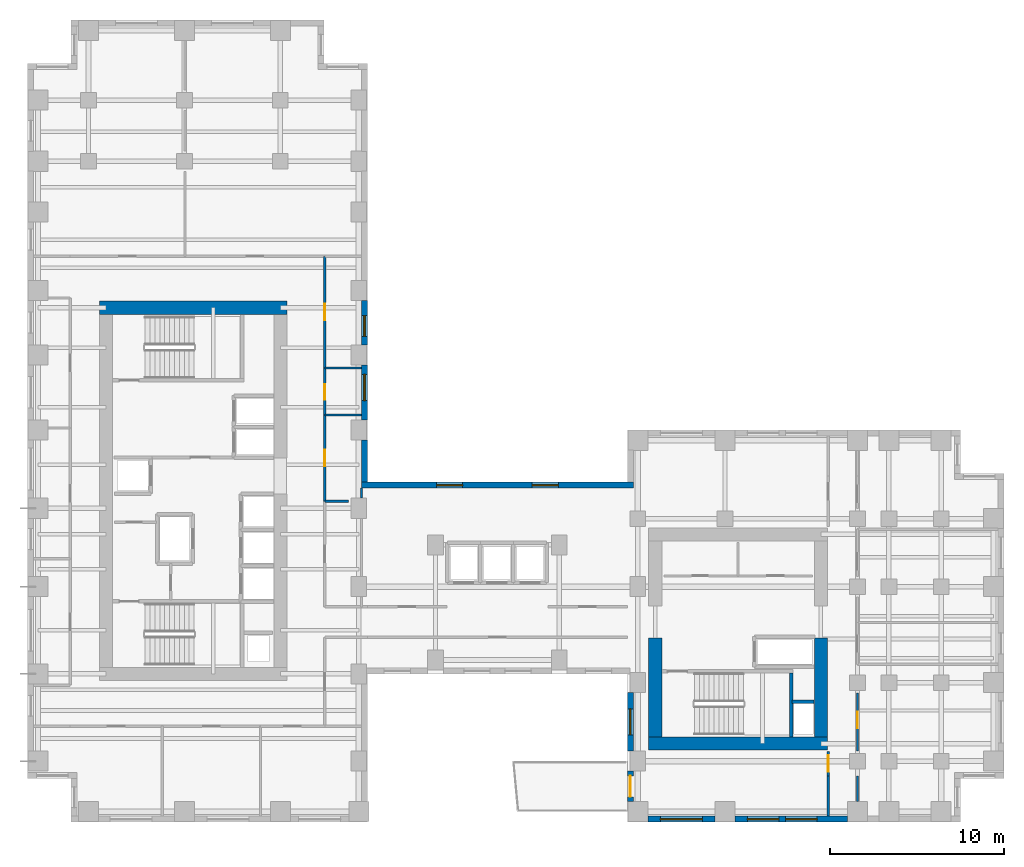
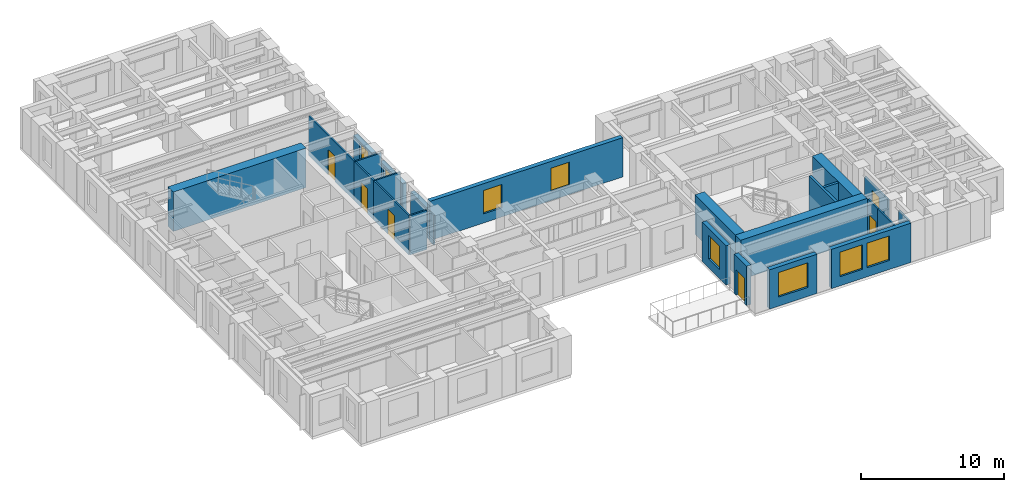
# One storey, part 6 of 12: 25 walls, 8 windows, 6 doors, 14 openings.
"""IFC4 building model written with IfcOpenShell, lengths in metres."""

import ifcopenshell
import ifcopenshell.guid

model = None  # the IFC model being written
_history = None  # IfcOwnerHistory: only IFC2X3 demands one
_inside = {}  # id of a spatial element -> (the spatial element, [elements in it])
_under = {}  # id of a project, library or spatial element -> (it, [spatial elements below it])
_declared = {}  # id of a project -> (the project, [libraries it declares])
_typed = {}  # id of a type object -> (the type object, [elements of that type])
_made_of = {}  # id of a material, layer set ... -> (it, [elements and type objects made of it])


def new_model(schema):
    """Start an empty IFC model of exactly this schema.

    Asked for "IFC4X3", IfcOpenShell would pick the latest addendum, in which some entities
    have other attributes; the version numbers below select the first issue.
    IFC2X3 requires an IfcOwnerHistory on every rooted entity: one is made here for all.
    """
    global model, _history
    if schema == "IFC4X3":
        model = ifcopenshell.file(schema_version=(4, 3, 0, 0))
    else:
        model = ifcopenshell.file(schema=schema)
    _inside.clear()
    _under.clear()
    _declared.clear()
    _typed.clear()
    _made_of.clear()
    _history = None
    if model.schema == "IFC2X3":
        org = make("IfcOrganization", Name="unknown")
        user = make(
            "IfcPersonAndOrganization",
            ThePerson=make("IfcPerson", FamilyName="unknown"),
            TheOrganization=org,
        )
        app = make(
            "IfcApplication",
            ApplicationDeveloper=org,
            Version="unknown",
            ApplicationFullName="unknown",
            ApplicationIdentifier="unknown",
        )
        _history = make(
            "IfcOwnerHistory",
            OwningUser=user,
            OwningApplication=app,
            ChangeAction="ADDED",
            CreationDate=0,
        )
    return model


def make(cls, **values):
    """One entity of the class cls with the attributes given. An attribute that is None is left unset."""
    return model.create_entity(
        cls, **{name: value for name, value in values.items() if value is not None}
    )


def rooted(cls, **values):
    """An entity with a GlobalId (a new one), such as an element, a storey or a relation."""
    return make(cls, GlobalId=ifcopenshell.guid.new(), OwnerHistory=_history, **values)


def si_unit(unit_type, name, prefix=None):
    """IfcSIUnit, for example si_unit("LENGTHUNIT", "METRE", prefix="MILLI")."""
    return make("IfcSIUnit", UnitType=unit_type, Prefix=prefix, Name=name)


def assignment(units):
    """IfcUnitAssignment: the units of a project."""
    return None if units is None else make("IfcUnitAssignment", Units=units)


def point(xyz):
    """IfcCartesianPoint."""
    return None if xyz is None else make("IfcCartesianPoint", Coordinates=xyz)


def direction(xyz):
    """IfcDirection."""
    return None if xyz is None else make("IfcDirection", DirectionRatios=xyz)


def frame(location, z_axis=None, x_axis=None):
    """IfcAxis2Placement3D, a coordinate frame: its origin and axes. An axis left out is left unset."""
    return make(
        "IfcAxis2Placement3D",
        Location=point(location),
        Axis=direction(z_axis),
        RefDirection=direction(x_axis),
    )


def frame_2d(location, x_axis=None):
    """IfcAxis2Placement2D, a coordinate frame in the plane: its origin and x axis."""
    return make(
        "IfcAxis2Placement2D", Location=point(location), RefDirection=direction(x_axis)
    )


def origin():
    """The frame at (0, 0, 0) with its axes left unset."""
    return frame((0.0, 0.0, 0.0))


def place(relative_to, where):
    """IfcLocalPlacement: puts the frame where relative to a parent placement (None: the world)."""
    return make(
        "IfcLocalPlacement", PlacementRelTo=relative_to, RelativePlacement=where
    )


def context(
    kind, dimensions, precision=None, world=None, true_north=None, identifier=None
):
    """IfcGeometricRepresentationContext, for example the 3D "Model" context."""
    return make(
        "IfcGeometricRepresentationContext",
        ContextIdentifier=identifier,
        ContextType=kind,
        CoordinateSpaceDimension=dimensions,
        Precision=precision,
        WorldCoordinateSystem=world,
        TrueNorth=true_north,
    )


def subcontext(parent, identifier, kind, view, scale=None):
    """IfcGeometricRepresentationSubContext, for example "Body" below "Model"."""
    return make(
        "IfcGeometricRepresentationSubContext",
        ContextIdentifier=identifier,
        ContextType=kind,
        ParentContext=parent,
        TargetScale=scale,
        TargetView=view,
    )


def project(units=None, contexts=None):
    """IfcProject with its units and contexts."""
    return rooted(
        "IfcProject",
        Name="project",
        RepresentationContexts=contexts,
        UnitsInContext=assignment(units),
    )


def spatial(cls, under=None, at=None, **own):
    """A site, building, storey or space (cls), placed at a placement, below another one or the project."""
    s = rooted(cls, ObjectPlacement=at, **own)
    if under is not None:
        _under.setdefault(under.id(), (under, []))[1].append(s)
    return s


def profile(cls, at=None, kind="AREA", **sizes):
    """A parametric profile (cls). Its sizes go by their IFC names, for example OverallWidth=200.0."""
    return make(cls, ProfileType=kind, Position=at, **sizes)


def rectangle(**sizes):
    """IfcRectangleProfileDef."""
    return profile("IfcRectangleProfileDef", **sizes)


def extrude(swept, where, along, depth):
    """IfcExtrudedAreaSolid: the profile swept, set in the frame where, extruded along a direction by depth."""
    return make(
        "IfcExtrudedAreaSolid",
        SweptArea=swept,
        Position=where,
        ExtrudedDirection=direction(along),
        Depth=depth,
    )


def shape(context_of_items, identifier, shape_type, items):
    """IfcShapeRepresentation: the items that make up one representation, for example the "Body"."""
    return make(
        "IfcShapeRepresentation",
        ContextOfItems=context_of_items,
        RepresentationIdentifier=identifier,
        RepresentationType=shape_type,
        Items=items,
    )


def source(mapping_origin, context_of_items, identifier, shape_type, items):
    """IfcRepresentationMap: a shape defined once, which mapped items show again and again."""
    return make(
        "IfcRepresentationMap",
        MappingOrigin=mapping_origin,
        MappedRepresentation=shape(context_of_items, identifier, shape_type, items),
    )


def transform(
    local_origin,
    x_axis=None,
    y_axis=None,
    z_axis=None,
    scale=None,
    scale2=None,
    scale3=None,
    uniform=True,
):
    """IfcCartesianTransformationOperator3D, or its non-uniform kind. x_axis, y_axis, z_axis: its Axis1, 2, 3."""
    if uniform:
        return make(
            "IfcCartesianTransformationOperator3D",
            Axis1=direction(x_axis),
            Axis2=direction(y_axis),
            LocalOrigin=point(local_origin),
            Scale=scale,
            Axis3=direction(z_axis),
        )
    return make(
        "IfcCartesianTransformationOperator3DnonUniform",
        Axis1=direction(x_axis),
        Axis2=direction(y_axis),
        LocalOrigin=point(local_origin),
        Scale=scale,
        Axis3=direction(z_axis),
        Scale2=scale2,
        Scale3=scale3,
    )


def mapped(mapping_source, mapping_target):
    """IfcMappedItem: shows the shape of a source again, moved by a transform."""
    return make(
        "IfcMappedItem", MappingSource=mapping_source, MappingTarget=mapping_target
    )


def material(Name=None, Category=None):
    """IfcMaterial."""
    return make("IfcMaterial", Name=Name, Category=Category)


def layer(
    of_material, thickness, ventilated=None, Name=None, Category=None, Priority=None
):
    """IfcMaterialLayer: one layer of a wall or slab, of a material (None: an air gap)."""
    return make(
        "IfcMaterialLayer",
        Material=of_material,
        LayerThickness=thickness,
        IsVentilated=ventilated,
        Name=Name,
        Category=Category,
        Priority=Priority,
    )


def layer_set(layers, Name=None):
    """IfcMaterialLayerSet."""
    return make("IfcMaterialLayerSet", MaterialLayers=layers, LayerSetName=Name)


def made_of(thing, what):
    """Note that an element or type object is made of a material, layer set ...; save() writes the relation."""
    if what is not None:
        _made_of.setdefault(what.id(), (what, []))[1].append(thing)
    return thing


def type_object(cls, material=None, **own):
    """A type object (cls), such as IfcWallType, which elements share."""
    return made_of(rooted(cls, **own), material)


def element(
    cls,
    number,
    at=None,
    inside=None,
    cuts=None,
    type_object=None,
    material=None,
    context=None,
    identifier="Body",
    shape_type=None,
    held_by="IfcProductDefinitionShape",
    body=None,
    shapes=None,
    **own,
):
    """One element of the class cls, such as IfcWall. Its Tag is "e" and its number.

    at: its placement. inside: the storey or other place that contains it. cuts: it is an
    opening in that element (IfcRelVoidsElement). A single representation is given by context,
    identifier, shape_type and body (its items); several are given by shapes. held_by: the class
    of the entity that holds the representations. save() writes the other relations.
    """
    e = rooted(cls, Tag="e%d" % number, ObjectPlacement=at, **own)
    if body is not None:
        shapes = [shape(context, identifier, shape_type, body)]
    if shapes is not None:
        e.Representation = make(held_by, Representations=shapes)
    if inside is not None:
        _inside.setdefault(inside.id(), (inside, []))[1].append(e)
    if cuts is not None:
        rooted(
            "IfcRelVoidsElement", RelatingBuildingElement=cuts, RelatedOpeningElement=e
        )
    if type_object is not None:
        _typed.setdefault(type_object.id(), (type_object, []))[1].append(e)
    return made_of(e, material)


def fill(opening, filler):
    """IfcRelFillsElement: the door or window that sits in an opening."""
    return rooted(
        "IfcRelFillsElement",
        RelatingOpeningElement=opening,
        RelatedBuildingElement=filler,
    )


def aggregate(whole, parts):
    """IfcRelAggregates: a whole, such as a stair, and the parts it consists of."""
    return rooted("IfcRelAggregates", RelatingObject=whole, RelatedObjects=parts)


def save(model, path):
    """Write the relations noted so far, then the file.

    IfcRelAggregates (storeys below a building ...), IfcRelContainedInSpatialStructure (elements
    in a storey), IfcRelDefinesByType, IfcRelAssociatesMaterial and IfcRelDeclares: one each for
    every whole, place, type object, material and project.
    """
    for whole, parts in _under.values():
        aggregate(whole, parts)
    for where, things in _inside.values():
        rooted(
            "IfcRelContainedInSpatialStructure",
            RelatedElements=things,
            RelatingStructure=where,
        )
    for kind, things in _typed.values():
        rooted("IfcRelDefinesByType", RelatedObjects=things, RelatingType=kind)
    for what, things in _made_of.values():
        rooted("IfcRelAssociatesMaterial", RelatedObjects=things, RelatingMaterial=what)
    for by, libraries in _declared.values():
        rooted("IfcRelDeclares", RelatingContext=by, RelatedDefinitions=libraries)
    model.write(path)


model = new_model("IFC4")

# Units and contexts
model_context = context("Model", 3, precision=1e-05, world=origin(), true_north=direction((0.0, 1.0)))
body_context = subcontext(model_context, "Body", "Model", "MODEL_VIEW")
ifc_project = project(units=[si_unit("LENGTHUNIT", "METRE"), si_unit("AREAUNIT", "SQUARE_METRE"), si_unit("VOLUMEUNIT", "CUBIC_METRE"), si_unit("PLANEANGLEUNIT", "RADIAN"), si_unit("MASSUNIT", "GRAM", prefix="KILO")], contexts=[model_context])

# Site, building, storey
site_placement = place(None, origin())
site = spatial("IfcSite", under=ifc_project, at=site_placement, CompositionType="ELEMENT")
building_placement = place(site_placement, origin())
building = spatial("IfcBuilding", under=site, at=building_placement, Name="Kharzan Plaza Tower", CompositionType="ELEMENT")
storey_placement = place(building_placement, frame((0.0, 0.0, 106.199951171875)))
storey = spatial("IfcBuildingStorey", under=building, at=storey_placement, Name="L28", CompositionType="ELEMENT", Elevation=106.199951171875)

# Wall, opening, window
ifc_material_1 = material(Name="Concrete C40/50", Category="concrete")
ifc_layer_1 = layer(ifc_material_1, 0.35009765625)
ifc_layer_set_1 = layer_set([ifc_layer_1], Name="Concrete C40/50")
wall_type_1 = type_object("IfcWallType", Name="WL-EXT-MAS-Z2", PredefinedType="SOLIDWALL", material=ifc_layer_set_1)
wall_1_placement = place(storey_placement, frame((19.324951171875, 23.072998046875, 0.0), z_axis=(0.0, 0.0, 1.0), x_axis=(0.0, 1.0, 0.0)))
wall_1 = element("IfcWall", 1, at=wall_1_placement, inside=storey, type_object=wall_type_1, Name="L28 Masonry-Frame Exterior Wall 02", PredefinedType="SOLIDWALL", context=body_context, shape_type="SweptSolid", body=[
    extrude(rectangle(XDim=3.154052734375, YDim=0.35009765625, at=frame_2d((1.5771484375, 0.0))), origin(), (0.0, 0.0, 1.0), 2.51904296875),
])
opening_1_placement = place(wall_1_placement, frame((1.10546875, 0.0, 0.780029296875)))
opening_1 = element("IfcOpeningElement", 2, at=opening_1_placement, cuts=wall_1, Name="Opening W5", PredefinedType="OPENING", context=body_context, shape_type="SweptSolid", body=[
    extrude(rectangle(XDim=1.5, YDim=1.55908203125, at=frame_2d((0.75, 0.779541015625))), frame((0.0, 0.18505859375, 0.0), z_axis=(0.0, -1.0, 0.0), x_axis=(1.0, 0.0, 0.0)), (0.0, 0.0, 1.0), 0.3701171875),
])
ifc_material_2 = material(Name="Low-E Double Glazing", Category="glass")
window_type_1 = type_object("IfcWindowType", Name="WN-SLT-1500x2000", PartitioningType="SINGLE_PANEL", PredefinedType="WINDOW", material=ifc_material_2)
shared_shape_1 = source(origin(), body_context, "Body", "SweptSolid", [
    extrude(rectangle(XDim=1.5, YDim=1.55908203125, at=frame_2d((0.75, 0.779541015625))), frame((0.0, 0.030029296875, 0.0), z_axis=(0.0, -1.0, 0.0), x_axis=(1.0, 0.0, 0.0)), (0.0, 0.0, 1.0), 0.06005859375),
])
window_1_placement = place(opening_1_placement, origin())
window_1 = element("IfcWindow", 3, at=window_1_placement, inside=storey, type_object=window_type_1, Name="L28 Recessed Solar-Control Window 02-1", OverallHeight=1.55908203125, OverallWidth=1.5, PartitioningType="SINGLE_PANEL", PredefinedType="WINDOW", context=body_context, shape_type="MappedRepresentation", body=[
    mapped(shared_shape_1, transform((0.0, 0.0, 0.0), x_axis=(1.0, 0.0, 0.0), y_axis=(0.0, 1.0, 0.0), z_axis=(0.0, 0.0, 1.0))),
])
fill(opening_1, window_1)

wall_2_placement = place(storey_placement, frame((19.324951171875, 27.373046875, 0.0), z_axis=(0.0, 0.0, 1.0), x_axis=(0.0, 1.0, 0.0)))
wall_2 = element("IfcWall", 4, at=wall_2_placement, inside=storey, type_object=wall_type_1, Name="L28 Masonry-Frame Exterior Wall 03", PredefinedType="SOLIDWALL", context=body_context, shape_type="SweptSolid", body=[
    extrude(rectangle(XDim=2.553955078125, YDim=0.35009765625, at=frame_2d((1.27685546875, 0.0))), origin(), (0.0, 0.0, 1.0), 2.51904296875),
])
opening_2_placement = place(wall_2_placement, frame((0.47998046875, 0.0, 0.780029296875)))
opening_2 = element("IfcOpeningElement", 5, at=opening_2_placement, cuts=wall_2, Name="Opening W3", PredefinedType="OPENING", context=body_context, shape_type="SweptSolid", body=[
    extrude(rectangle(XDim=1.199951171875, YDim=1.55908203125, at=frame_2d((0.60009765625, 0.779541015625))), frame((0.0, 0.18505859375, 0.0), z_axis=(0.0, -1.0, 0.0), x_axis=(1.0, 0.0, 0.0)), (0.0, 0.0, 1.0), 0.3701171875),
])
window_type_2 = type_object("IfcWindowType", Name="WN-REC-1200x2100", PartitioningType="SINGLE_PANEL", PredefinedType="WINDOW", material=ifc_material_2)
shared_shape_2 = source(origin(), body_context, "Body", "SweptSolid", [
    extrude(rectangle(XDim=1.199951171875, YDim=1.55908203125, at=frame_2d((0.60009765625, 0.779541015625))), frame((0.0, 0.030029296875, 0.0), z_axis=(0.0, -1.0, 0.0), x_axis=(1.0, 0.0, 0.0)), (0.0, 0.0, 1.0), 0.06005859375),
])
window_2_placement = place(opening_2_placement, origin())
window_2 = element("IfcWindow", 6, at=window_2_placement, inside=storey, type_object=window_type_2, Name="L28 Recessed Solar-Control Window 03-1", OverallHeight=1.55908203125, OverallWidth=1.199951171875, PartitioningType="SINGLE_PANEL", PredefinedType="WINDOW", context=body_context, shape_type="MappedRepresentation", body=[
    mapped(shared_shape_2, transform((0.0, 0.0, 0.0), x_axis=(1.0, 0.0, 0.0), y_axis=(0.0, 1.0, 0.0), z_axis=(0.0, 0.0, 1.0))),
])
fill(opening_2, window_2)

wall_3_placement = place(storey_placement, frame((34.574951171875, 7.427001953125, 0.0), z_axis=(0.0, 0.0, 1.0), x_axis=(0.0, -1.0, 0.0)))
wall_3 = element("IfcWall", 7, at=wall_3_placement, inside=storey, type_object=wall_type_1, Name="L28 Masonry-Frame Exterior Wall 37", PredefinedType="SOLIDWALL", context=body_context, shape_type="SweptSolid", body=[
    extrude(rectangle(XDim=3.35400390625, YDim=0.35009765625, at=frame_2d((1.677001953125, 0.0))), origin(), (0.0, 0.0, 1.0), 3.364990234375),
])
opening_3_placement = place(wall_3_placement, frame((0.927001953125, 0.0, 0.780029296875)))
opening_3 = element("IfcOpeningElement", 8, at=opening_3_placement, cuts=wall_3, Name="Opening W5", PredefinedType="OPENING", context=body_context, shape_type="SweptSolid", body=[
    extrude(rectangle(XDim=1.5, YDim=2.0, at=frame_2d((0.75, 1.0))), frame((0.0, 0.18505859375, 0.0), z_axis=(0.0, -1.0, 0.0), x_axis=(1.0, 0.0, 0.0)), (0.0, 0.0, 1.0), 0.3701171875),
])
shared_shape_3 = source(origin(), body_context, "Body", "SweptSolid", [
    extrude(rectangle(XDim=1.5, YDim=2.0, at=frame_2d((0.75, 1.0))), frame((0.0, 0.030029296875, 0.0), z_axis=(0.0, -1.0, 0.0), x_axis=(1.0, 0.0, 0.0)), (0.0, 0.0, 1.0), 0.06005859375),
])
window_3_placement = place(opening_3_placement, origin())
window_3 = element("IfcWindow", 9, at=window_3_placement, inside=storey, type_object=window_type_1, Name="L28 Recessed Solar-Control Window 37-1", OverallHeight=2.0, OverallWidth=1.5, PartitioningType="SINGLE_PANEL", PredefinedType="WINDOW", context=body_context, shape_type="MappedRepresentation", body=[
    mapped(shared_shape_3, transform((0.0, 0.0, 0.0), x_axis=(1.0, 0.0, 0.0), y_axis=(0.0, 1.0, 0.0), z_axis=(0.0, 0.0, 1.0))),
])
fill(opening_3, window_3)

# Wall, opening, door
wall_4_placement = place(storey_placement, frame((34.574951171875, 2.927001953125, 0.0), z_axis=(0.0, 0.0, 1.0), x_axis=(0.0, -1.0, 0.0)))
wall_4 = element("IfcWall", 10, at=wall_4_placement, inside=storey, type_object=wall_type_1, Name="L28 Masonry-Frame Exterior Wall 38", PredefinedType="SOLIDWALL", context=body_context, shape_type="SweptSolid", body=[
    extrude(rectangle(XDim=1.75390625, YDim=0.35009765625, at=frame_2d((0.876953125, 0.0))), origin(), (0.0, 0.0, 1.0), 3.364990234375),
])
opening_4_placement = place(wall_4_placement, frame((0.277099609375, 0.0, 0.0)))
opening_4 = element("IfcOpeningElement", 11, at=opening_4_placement, cuts=wall_4, Name="Opening ED3", PredefinedType="OPENING", context=body_context, shape_type="SweptSolid", body=[
    extrude(rectangle(XDim=1.199951171875, YDim=2.14990234375, at=frame_2d((0.60009765625, 1.074951171875))), frame((0.0, 0.18505859375, 0.0), z_axis=(0.0, -1.0, 0.0), x_axis=(1.0, 0.0, 0.0)), (0.0, 0.0, 1.0), 0.3701171875),
])
ifc_material_3 = material(Name="Thermally Broken Anodized Bronze Aluminium", Category="aluminium")
door_type_1 = type_object("IfcDoorType", Name="DR-EXT-TRAY-1200", OperationType="SINGLE_SWING_LEFT", PredefinedType="DOOR", material=ifc_material_3)
shared_shape_4 = source(origin(), body_context, "Body", "SweptSolid", [
    extrude(rectangle(XDim=1.199951171875, YDim=2.14990234375, at=frame_2d((0.60009765625, 1.074951171875))), frame((0.0, 0.02490234375, 0.0), z_axis=(0.0, -1.0, 0.0), x_axis=(1.0, 0.0, 0.0)), (0.0, 0.0, 1.0), 0.050048828125),
])
door_1_placement = place(opening_4_placement, frame((1.199951171875, 0.0, 0.0), z_axis=(0.0, 0.0, 1.0), x_axis=(-1.0, 0.0, 0.0)))
door_1 = element("IfcDoor", 12, at=door_1_placement, inside=storey, type_object=door_type_1, Name="L28 Cantilevered Sky-Terrace Tray Access Door", OperationType="SINGLE_SWING_LEFT", OverallHeight=2.14990234375, OverallWidth=1.199951171875, PredefinedType="DOOR", context=body_context, shape_type="MappedRepresentation", body=[
    mapped(shared_shape_4, transform((0.0, 0.0, 0.0), x_axis=(1.0, 0.0, 0.0), y_axis=(0.0, 1.0, 0.0), z_axis=(0.0, 0.0, 1.0))),
])
fill(opening_4, door_1)

# Wall, opening, window
wall_5_placement = place(storey_placement, frame((35.572998046875, 0.175048828125, 0.0), z_axis=(0.0, 0.0, 1.0), x_axis=(1.0, 0.0, 0.0)))
wall_5 = element("IfcWall", 13, at=wall_5_placement, inside=storey, type_object=wall_type_1, Name="L28 Masonry-Frame Exterior Wall 39", PredefinedType="SOLIDWALL", context=body_context, shape_type="SweptSolid", body=[
    extrude(rectangle(XDim=3.85400390625, YDim=0.35009765625, at=frame_2d((1.927001953125, 0.0))), origin(), (0.0, 0.0, 1.0), 3.364990234375),
])
opening_5_placement = place(wall_5_placement, frame((0.72705078125, 0.0, 0.780029296875)))
opening_5 = element("IfcOpeningElement", 14, at=opening_5_placement, cuts=wall_5, Name="Opening W2", PredefinedType="OPENING", context=body_context, shape_type="SweptSolid", body=[
    extrude(rectangle(XDim=2.39990234375, YDim=2.10009765625, at=frame_2d((1.199951171875, 1.050048828125))), frame((0.0, 0.18505859375, 0.0), z_axis=(0.0, -1.0, 0.0), x_axis=(1.0, 0.0, 0.0)), (0.0, 0.0, 1.0), 0.3701171875),
])
window_type_3 = type_object("IfcWindowType", Name="WN-REC-2400x2100", PartitioningType="SINGLE_PANEL", PredefinedType="WINDOW", material=ifc_material_2)
shared_shape_5 = source(origin(), body_context, "Body", "SweptSolid", [
    extrude(rectangle(XDim=2.39990234375, YDim=2.10009765625, at=frame_2d((1.199951171875, 1.050048828125))), frame((0.0, 0.030029296875, 0.0), z_axis=(0.0, -1.0, 0.0), x_axis=(1.0, 0.0, 0.0)), (0.0, 0.0, 1.0), 0.06005859375),
])
window_4_placement = place(opening_5_placement, origin())
window_4 = element("IfcWindow", 15, at=window_4_placement, inside=storey, type_object=window_type_3, Name="L28 Wide Recessed Solar-Control Window 39-1", OverallHeight=2.10009765625, OverallWidth=2.39990234375, PartitioningType="SINGLE_PANEL", PredefinedType="WINDOW", context=body_context, shape_type="MappedRepresentation", body=[
    mapped(shared_shape_5, transform((0.0, 0.0, 0.0), x_axis=(1.0, 0.0, 0.0), y_axis=(0.0, 1.0, 0.0), z_axis=(0.0, 0.0, 1.0))),
])
fill(opening_5, window_4)

# Wall, openings, windows
wall_6_placement = place(storey_placement, frame((40.572998046875, 0.175048828125, 0.0), z_axis=(0.0, 0.0, 1.0), x_axis=(1.0, 0.0, 0.0)))
wall_6 = element("IfcWall", 16, at=wall_6_placement, inside=storey, type_object=wall_type_1, Name="L28 Masonry-Frame Exterior Wall 40", PredefinedType="SOLIDWALL", context=body_context, shape_type="SweptSolid", body=[
    extrude(rectangle(XDim=6.4541015625, YDim=0.35009765625, at=frame_2d((3.22705078125, 0.0))), origin(), (0.0, 0.0, 1.0), 3.364990234375),
])
opening_6_placement = place(wall_6_placement, frame((0.71240234375, 0.0, 0.780029296875)))
opening_6 = element("IfcOpeningElement", 17, at=opening_6_placement, cuts=wall_6, Name="Opening W1", PredefinedType="OPENING", context=body_context, shape_type="SweptSolid", body=[
    extrude(rectangle(XDim=1.800048828125, YDim=2.10009765625, at=frame_2d((0.89990234375, 1.050048828125))), frame((0.0, 0.18505859375, 0.0), z_axis=(0.0, -1.0, 0.0), x_axis=(1.0, 0.0, 0.0)), (0.0, 0.0, 1.0), 0.3701171875),
])
opening_7_placement = place(wall_6_placement, frame((2.90478515625, 0.0, 0.780029296875)))
opening_7 = element("IfcOpeningElement", 18, at=opening_7_placement, cuts=wall_6, Name="Opening W1", PredefinedType="OPENING", context=body_context, shape_type="SweptSolid", body=[
    extrude(rectangle(XDim=1.800048828125, YDim=2.10009765625, at=frame_2d((0.89990234375, 1.050048828125))), frame((0.0, 0.18505859375, 0.0), z_axis=(0.0, -1.0, 0.0), x_axis=(1.0, 0.0, 0.0)), (0.0, 0.0, 1.0), 0.3701171875),
])
window_type_4 = type_object("IfcWindowType", Name="WN-REC-1800x2100", PartitioningType="SINGLE_PANEL", PredefinedType="WINDOW", material=ifc_material_2)
shared_shape_6 = source(origin(), body_context, "Body", "SweptSolid", [
    extrude(rectangle(XDim=1.800048828125, YDim=2.10009765625, at=frame_2d((0.89990234375, 1.050048828125))), frame((0.0, 0.030029296875, 0.0), z_axis=(0.0, -1.0, 0.0), x_axis=(1.0, 0.0, 0.0)), (0.0, 0.0, 1.0), 0.06005859375),
])
window_5_placement = place(opening_6_placement, origin())
window_5 = element("IfcWindow", 19, at=window_5_placement, inside=storey, type_object=window_type_4, Name="L28 Recessed Solar-Control Window 40-1", OverallHeight=2.10009765625, OverallWidth=1.800048828125, PartitioningType="SINGLE_PANEL", PredefinedType="WINDOW", context=body_context, shape_type="MappedRepresentation", body=[
    mapped(shared_shape_6, transform((0.0, 0.0, 0.0), x_axis=(1.0, 0.0, 0.0), y_axis=(0.0, 1.0, 0.0), z_axis=(0.0, 0.0, 1.0))),
])
fill(opening_6, window_5)
window_6_placement = place(opening_7_placement, origin())
window_6 = element("IfcWindow", 20, at=window_6_placement, inside=storey, type_object=window_type_4, Name="L28 Recessed Solar-Control Window 40-2", OverallHeight=2.10009765625, OverallWidth=1.800048828125, PartitioningType="SINGLE_PANEL", PredefinedType="WINDOW", context=body_context, shape_type="MappedRepresentation", body=[
    mapped(shared_shape_6, transform((0.0, 0.0, 0.0), x_axis=(1.0, 0.0, 0.0), y_axis=(0.0, 1.0, 0.0), z_axis=(0.0, 0.0, 1.0))),
])
fill(opening_7, window_6)

wall_7_placement = place(storey_placement, frame((34.75, 19.324951171875, 0.0), z_axis=(0.0, 0.0, 1.0), x_axis=(-1.0, 0.0, 0.0)))
wall_7 = element("IfcWall", 21, at=wall_7_placement, inside=storey, type_object=wall_type_1, Name="L28 Masonry-Frame Exterior Wall 58", PredefinedType="SOLIDWALL", context=body_context, shape_type="SweptSolid", body=[
    extrude(rectangle(XDim=15.60009765625, YDim=0.35009765625, at=frame_2d((7.800048828125, 0.0))), origin(), (0.0, 0.0, 1.0), 3.364990234375),
])
opening_8_placement = place(wall_7_placement, frame((4.306640625, 0.0, 0.780029296875)))
opening_8 = element("IfcOpeningElement", 22, at=opening_8_placement, cuts=wall_7, Name="Opening W5", PredefinedType="OPENING", context=body_context, shape_type="SweptSolid", body=[
    extrude(rectangle(XDim=1.5, YDim=2.0, at=frame_2d((0.75, 1.0))), frame((0.0, 0.18505859375, 0.0), z_axis=(0.0, -1.0, 0.0), x_axis=(1.0, 0.0, 0.0)), (0.0, 0.0, 1.0), 0.3701171875),
])
opening_9_placement = place(wall_7_placement, frame((9.793212890625, 0.0, 0.780029296875)))
opening_9 = element("IfcOpeningElement", 23, at=opening_9_placement, cuts=wall_7, Name="Opening W5", PredefinedType="OPENING", context=body_context, shape_type="SweptSolid", body=[
    extrude(rectangle(XDim=1.5, YDim=2.0, at=frame_2d((0.75, 1.0))), frame((0.0, 0.18505859375, 0.0), z_axis=(0.0, -1.0, 0.0), x_axis=(1.0, 0.0, 0.0)), (0.0, 0.0, 1.0), 0.3701171875),
])
window_7_placement = place(opening_8_placement, origin())
window_7 = element("IfcWindow", 24, at=window_7_placement, inside=storey, type_object=window_type_1, Name="L28 Recessed Solar-Control Window 58-1", OverallHeight=2.0, OverallWidth=1.5, PartitioningType="SINGLE_PANEL", PredefinedType="WINDOW", context=body_context, shape_type="MappedRepresentation", body=[
    mapped(shared_shape_3, transform((0.0, 0.0, 0.0), x_axis=(1.0, 0.0, 0.0), y_axis=(0.0, 1.0, 0.0), z_axis=(0.0, 0.0, 1.0))),
])
fill(opening_8, window_7)
window_8_placement = place(opening_9_placement, origin())
window_8 = element("IfcWindow", 25, at=window_8_placement, inside=storey, type_object=window_type_1, Name="L28 Recessed Solar-Control Window 58-2", OverallHeight=2.0, OverallWidth=1.5, PartitioningType="SINGLE_PANEL", PredefinedType="WINDOW", context=body_context, shape_type="MappedRepresentation", body=[
    mapped(shared_shape_3, transform((0.0, 0.0, 0.0), x_axis=(1.0, 0.0, 0.0), y_axis=(0.0, 1.0, 0.0), z_axis=(0.0, 0.0, 1.0))),
])
fill(opening_9, window_8)

# Wall, opening, door
ifc_material_4 = material(Name="Fire-Rated Gypsum Board Partition", Category="gypsum")
ifc_layer_2 = layer(ifc_material_4, 0.125)
ifc_layer_set_2 = layer_set([ifc_layer_2], Name="Fire-Rated Gypsum Board Partition")
wall_type_2 = type_object("IfcWallType", Name="WL-INT-PART-125", PredefinedType="PARTITIONING", material=ifc_layer_set_2)
wall_8_placement = place(storey_placement, frame((17.050048828125, 18.39990234375, 0.0), z_axis=(0.0, 0.0, 1.0), x_axis=(0.0, 1.0, 0.0)))
wall_8 = element("IfcWall", 26, at=wall_8_placement, inside=storey, type_object=wall_type_2, Name="L28 Interior Partition SH-AEWN2", PredefinedType="PARTITIONING", context=body_context, shape_type="SweptSolid", body=[
    extrude(rectangle(XDim=4.9501953125, YDim=0.125, at=frame_2d((2.47509765625, 0.0))), origin(), (0.0, 0.0, 1.0), 3.364990234375),
])
opening_10_placement = place(wall_8_placement, frame((2.0, 0.0, 0.0)))
opening_10 = element("IfcOpeningElement", 27, at=opening_10_placement, cuts=wall_8, Name="Opening OD1", PredefinedType="OPENING", context=body_context, shape_type="SweptSolid", body=[
    extrude(rectangle(XDim=0.949951171875, YDim=2.14990234375, at=frame_2d((0.47509765625, 1.074951171875))), frame((0.0, 0.072509765625, 0.0), z_axis=(0.0, -1.0, 0.0), x_axis=(1.0, 0.0, 0.0)), (0.0, 0.0, 1.0), 0.14501953125),
])
ifc_material_5 = material(Name="Acoustic Solid-Core Stained Oak", Category="timber")
door_type_2 = type_object("IfcDoorType", Name="DR-OFF-SINGLE", OperationType="NOTDEFINED", PredefinedType="DOOR", material=ifc_material_5)
shared_shape_7 = source(origin(), body_context, "Body", "SweptSolid", [
    extrude(rectangle(XDim=0.949951171875, YDim=2.14990234375, at=frame_2d((0.47509765625, 1.074951171875))), frame((0.0, 0.02490234375, 0.0), z_axis=(0.0, -1.0, 0.0), x_axis=(1.0, 0.0, 0.0)), (0.0, 0.0, 1.0), 0.050048828125),
])
door_2_placement = place(opening_10_placement, origin())
door_2 = element("IfcDoor", 28, at=door_2_placement, inside=storey, type_object=door_type_2, Name="L28 Slot Studio Door", OperationType="SINGLE_SWING_LEFT", OverallHeight=2.14990234375, OverallWidth=0.949951171875, PredefinedType="DOOR", context=body_context, shape_type="MappedRepresentation", body=[
    mapped(shared_shape_7, transform((0.0, 0.0, 0.0), x_axis=(1.0, 0.0, 0.0), y_axis=(0.0, 1.0, 0.0), z_axis=(0.0, 0.0, 1.0))),
])
fill(opening_10, door_2)

wall_9_placement = place(storey_placement, frame((17.050048828125, 26.050048828125, 0.0), z_axis=(0.0, 0.0, 1.0), x_axis=(0.0, 1.0, 0.0)))
wall_9 = element("IfcWall", 29, at=wall_9_placement, inside=storey, type_object=wall_type_2, Name="L28 Interior Partition SH-AEWN3", PredefinedType="PARTITIONING", context=body_context, shape_type="SweptSolid", body=[
    extrude(rectangle(XDim=6.39990234375, YDim=0.125, at=frame_2d((3.199951171875, 0.0))), origin(), (0.0, 0.0, 1.0), 3.364990234375),
])
opening_11_placement = place(wall_9_placement, frame((2.72509765625, 0.0, 0.0)))
opening_11 = element("IfcOpeningElement", 30, at=opening_11_placement, cuts=wall_9, Name="Opening OD1", PredefinedType="OPENING", context=body_context, shape_type="SweptSolid", body=[
    extrude(rectangle(XDim=0.949951171875, YDim=2.14990234375, at=frame_2d((0.47509765625, 1.074951171875))), frame((0.0, 0.072509765625, 0.0), z_axis=(0.0, -1.0, 0.0), x_axis=(1.0, 0.0, 0.0)), (0.0, 0.0, 1.0), 0.14501953125),
])
door_3_placement = place(opening_11_placement, origin())
door_3 = element("IfcDoor", 31, at=door_3_placement, inside=storey, type_object=door_type_2, Name="L28 Staff Tea Point Door", OperationType="SINGLE_SWING_LEFT", OverallHeight=2.14990234375, OverallWidth=0.949951171875, PredefinedType="DOOR", context=body_context, shape_type="MappedRepresentation", body=[
    mapped(shared_shape_7, transform((0.0, 0.0, 0.0), x_axis=(1.0, 0.0, 0.0), y_axis=(0.0, 1.0, 0.0), z_axis=(0.0, 0.0, 1.0))),
])
fill(opening_11, door_3)

wall_10_placement = place(storey_placement, frame((17.050048828125, 23.35009765625, 0.0), z_axis=(0.0, 0.0, 1.0), x_axis=(0.0, 1.0, 0.0)))
wall_10 = element("IfcWall", 32, at=wall_10_placement, inside=storey, type_object=wall_type_2, Name="L28 Interior Partition SH-AEWW", PredefinedType="PARTITIONING", context=body_context, shape_type="SweptSolid", body=[
    extrude(rectangle(XDim=2.699951171875, YDim=0.125, at=frame_2d((1.35009765625, 0.0))), origin(), (0.0, 0.0, 1.0), 3.364990234375),
])
opening_12_placement = place(wall_10_placement, frame((0.875, 0.0, 0.0)))
opening_12 = element("IfcOpeningElement", 33, at=opening_12_placement, cuts=wall_10, Name="Opening WD1", PredefinedType="OPENING", context=body_context, shape_type="SweptSolid", body=[
    extrude(rectangle(XDim=0.89990234375, YDim=2.14990234375, at=frame_2d((0.449951171875, 1.074951171875))), frame((0.0, 0.072509765625, 0.0), z_axis=(0.0, -1.0, 0.0), x_axis=(1.0, 0.0, 0.0)), (0.0, 0.0, 1.0), 0.14501953125),
])
ifc_material_6 = material(Name="Moisture-Resistant Fire-Rated Laminate", Category="timber")
door_type_3 = type_object("IfcDoorType", Name="DR-WC-900", OperationType="NOTDEFINED", PredefinedType="DOOR", material=ifc_material_6)
shared_shape_8 = source(origin(), body_context, "Body", "SweptSolid", [
    extrude(rectangle(XDim=0.89990234375, YDim=2.14990234375, at=frame_2d((0.449951171875, 1.074951171875))), frame((0.0, 0.02490234375, 0.0), z_axis=(0.0, -1.0, 0.0), x_axis=(1.0, 0.0, 0.0)), (0.0, 0.0, 1.0), 0.050048828125),
])
door_4_placement = place(opening_12_placement, origin())
door_4 = element("IfcDoor", 34, at=door_4_placement, inside=storey, type_object=door_type_3, Name="L28 Wing A Washroom Door", OperationType="SINGLE_SWING_RIGHT", OverallHeight=2.14990234375, OverallWidth=0.89990234375, PredefinedType="DOOR", context=body_context, shape_type="MappedRepresentation", body=[
    mapped(shared_shape_8, transform((0.0, 0.0, 0.0), x_axis=(1.0, 0.0, 0.0), y_axis=(0.0, 1.0, 0.0), z_axis=(0.0, 0.0, 1.0))),
])
fill(opening_12, door_4)

wall_11_placement = place(storey_placement, frame((47.60009765625, 4.090087890625, 0.0), z_axis=(0.0, 0.0, 1.0), x_axis=(0.0, 1.0, 0.0)))
wall_11 = element("IfcWall", 35, at=wall_11_placement, inside=storey, type_object=wall_type_2, Name="L28 Interior Partition SH-B1W0", PredefinedType="PARTITIONING", context=body_context, shape_type="SweptSolid", body=[
    extrude(rectangle(XDim=3.31982421875, YDim=0.125, at=frame_2d((1.659912109375, 0.0))), origin(), (0.0, 0.0, 1.0), 2.677001953125),
])
opening_13_placement = place(wall_11_placement, frame((1.284912109375, 0.0, 0.0)))
opening_13 = element("IfcOpeningElement", 36, at=opening_13_placement, cuts=wall_11, Name="Opening OD1", PredefinedType="OPENING", context=body_context, shape_type="SweptSolid", body=[
    extrude(rectangle(XDim=0.949951171875, YDim=2.14990234375, at=frame_2d((0.47509765625, 1.074951171875))), frame((0.0, 0.072509765625, 0.0), z_axis=(0.0, -1.0, 0.0), x_axis=(1.0, 0.0, 0.0)), (0.0, 0.0, 1.0), 0.14501953125),
])
door_5_placement = place(opening_13_placement, origin())
door_5 = element("IfcDoor", 37, at=door_5_placement, inside=storey, type_object=door_type_2, Name="L28 Wing B South Studio Door", OperationType="SINGLE_SWING_LEFT", OverallHeight=2.14990234375, OverallWidth=0.949951171875, PredefinedType="DOOR", context=body_context, shape_type="MappedRepresentation", body=[
    mapped(shared_shape_7, transform((0.0, 0.0, 0.0), x_axis=(1.0, 0.0, 0.0), y_axis=(0.0, 1.0, 0.0), z_axis=(0.0, 0.0, 1.0))),
])
fill(opening_13, door_5)

wall_12_placement = place(storey_placement, frame((45.919921875, 2.64990234375, 0.0), z_axis=(0.0, 0.0, 1.0), x_axis=(0.0, 1.0, 0.0)))
wall_12 = element("IfcWall", 38, at=wall_12_placement, inside=storey, type_object=wall_type_2, Name="L28 Interior Partition SH-RBSE", PredefinedType="PARTITIONING", context=body_context, shape_type="SweptSolid", body=[
    extrude(rectangle(XDim=1.400146484375, YDim=0.125, at=frame_2d((0.7001953125, 0.0))), origin(), (0.0, 0.0, 1.0), 3.364990234375),
])
opening_14_placement = place(wall_12_placement, frame((0.22509765625, 0.0, 0.0)))
opening_14 = element("IfcOpeningElement", 39, at=opening_14_placement, cuts=wall_12, Name="Opening OD1", PredefinedType="OPENING", context=body_context, shape_type="SweptSolid", body=[
    extrude(rectangle(XDim=0.949951171875, YDim=2.14990234375, at=frame_2d((0.47509765625, 1.074951171875))), frame((0.0, 0.072509765625, 0.0), z_axis=(0.0, -1.0, 0.0), x_axis=(1.0, 0.0, 0.0)), (0.0, 0.0, 1.0), 0.14501953125),
])
door_6_placement = place(opening_14_placement, origin())
door_6 = element("IfcDoor", 40, at=door_6_placement, inside=storey, type_object=door_type_2, Name="L28 South-East Corner Office Door", OperationType="SINGLE_SWING_LEFT", OverallHeight=2.14990234375, OverallWidth=0.949951171875, PredefinedType="DOOR", context=body_context, shape_type="MappedRepresentation", body=[
    mapped(shared_shape_7, transform((0.0, 0.0, 0.0), x_axis=(1.0, 0.0, 0.0), y_axis=(0.0, 1.0, 0.0), z_axis=(0.0, 0.0, 1.0))),
])
fill(opening_14, door_6)

# Walls
shared_shape_9 = source(origin(), body_context, "Body", "SweptSolid", [
    extrude(rectangle(XDim=2.2978515625, YDim=0.125, at=frame_2d((1.14892578125, 0.0))), origin(), (0.0, 0.0, 1.0), 3.364990234375),
])
wall_13_placement = place(storey_placement, frame((45.919921875, 0.35205078125, 0.0), z_axis=(0.0, 0.0, 1.0), x_axis=(0.0, 1.0, 0.0)))
element("IfcWall", 41, at=wall_13_placement, inside=storey, type_object=wall_type_2, Name="L28 Interior Partition SH-RBSE0", PredefinedType="PARTITIONING", context=body_context, shape_type="MappedRepresentation", body=[
    mapped(shared_shape_9, transform((0.0, 0.0, 0.0), x_axis=(1.0, 0.0, 0.0), y_axis=(0.0, 1.0, 0.0), z_axis=(0.0, 0.0, 1.0))),
])
shared_shape_10 = source(origin(), body_context, "Body", "SweptSolid", [
    extrude(rectangle(XDim=2.097900390625, YDim=0.125, at=frame_2d((1.048828125, 0.0))), origin(), (0.0, 0.0, 1.0), 3.364990234375),
])
for number, where, z_axis, x_axis, name in (
    (42, (17.050048828125, 23.35009765625, 0.0), (0.0, 0.0, 1.0), (1.0, 0.0, 0.0), "L28 Interior Partition SH-AEH-233"),
    (43, (17.050048828125, 26.050048828125, 0.0), (0.0, 0.0, 1.0), (1.0, 0.0, 0.0), "L28 Interior Partition SH-AEH-260"),
):
    element("IfcWall", number, at=place(storey_placement, frame(where, z_axis=z_axis, x_axis=x_axis)), inside=storey, type_object=wall_type_2, Name=name, PredefinedType="PARTITIONING", context=body_context, shape_type="MappedRepresentation", body=[
        mapped(shared_shape_10, transform((0.0, 0.0, 0.0), x_axis=(1.0, 0.0, 0.0), y_axis=(0.0, 1.0, 0.0), z_axis=(0.0, 0.0, 1.0))),
    ])
ifc_material_7 = material(Name="Concrete C60/75", Category="concrete")
ifc_layer_3 = layer(ifc_material_7, 0.75)
ifc_layer_set_3 = layer_set([ifc_layer_3], Name="Concrete C60/75")
wall_type_3 = type_object("IfcWallType", Name="WL-CORE-750", PredefinedType="SHEAR", material=ifc_layer_set_3)
shared_shape_11 = source(origin(), body_context, "Body", "SweptSolid", [
    extrude(rectangle(XDim=10.75, YDim=0.75, at=frame_2d((5.375, 0.0))), origin(), (0.0, 0.0, 1.0), 3.380126953125),
])
wall_14_placement = place(storey_placement, frame((4.125, 29.5, 0.0), z_axis=(0.0, 0.0, 1.0), x_axis=(1.0, 0.0, 0.0)))
element("IfcWall", 44, at=wall_14_placement, inside=storey, type_object=wall_type_3, Name="L28 CORE-A north RC shear wall", PredefinedType="SHEAR", context=body_context, shape_type="MappedRepresentation", body=[
    mapped(shared_shape_11, transform((0.0, 0.0, 0.0), x_axis=(1.0, 0.0, 0.0), y_axis=(0.0, 1.0, 0.0), z_axis=(0.0, 0.0, 1.0))),
])
shared_shape_12 = source(origin(), body_context, "Body", "SweptSolid", [
    extrude(rectangle(XDim=5.675048828125, YDim=0.75, at=frame_2d((2.83740234375, 0.0))), origin(), (0.0, 0.0, 1.0), 3.380126953125),
])
for number, where, z_axis, x_axis, name in (
    (45, (45.5, 4.875, 0.0), (0.0, 0.0, 1.0), (0.0, 1.0, 0.0), "L28 CORE-B east shear pier 1"),
    (46, (36.0, 4.875, 0.0), (0.0, 0.0, 1.0), (0.0, 1.0, 0.0), "L28 CORE-B west shear pier 1"),
):
    element("IfcWall", number, at=place(storey_placement, frame(where, z_axis=z_axis, x_axis=x_axis)), inside=storey, type_object=wall_type_3, Name=name, PredefinedType="SHEAR", context=body_context, shape_type="MappedRepresentation", body=[
        mapped(shared_shape_12, transform((0.0, 0.0, 0.0), x_axis=(1.0, 0.0, 0.0), y_axis=(0.0, 1.0, 0.0), z_axis=(0.0, 0.0, 1.0))),
    ])
shared_shape_13 = source(origin(), body_context, "Body", "SweptSolid", [
    extrude(rectangle(XDim=10.25, YDim=0.75, at=frame_2d((5.125, 0.0))), origin(), (0.0, 0.0, 1.0), 3.380126953125),
])
wall_15_placement = place(storey_placement, frame((35.625, 4.5, 0.0), z_axis=(0.0, 0.0, 1.0), x_axis=(1.0, 0.0, 0.0)))
element("IfcWall", 47, at=wall_15_placement, inside=storey, type_object=wall_type_3, Name="L28 CORE-B south RC shear wall", PredefinedType="SHEAR", context=body_context, shape_type="MappedRepresentation", body=[
    mapped(shared_shape_13, transform((0.0, 0.0, 0.0), x_axis=(1.0, 0.0, 0.0), y_axis=(0.0, 1.0, 0.0), z_axis=(0.0, 0.0, 1.0))),
])
ifc_layer_4 = layer(ifc_material_1, 0.199951171875)
ifc_layer_set_4 = layer_set([ifc_layer_4], Name="Concrete C40/50")
wall_type_4 = type_object("IfcWallType", Name="WL-INT-SHAFT-200", PredefinedType="PARTITIONING", material=ifc_layer_set_4)
shared_shape_14 = source(origin(), body_context, "Body", "SweptSolid", [
    extrude(rectangle(XDim=1.244873046875, YDim=0.199951171875, at=frame_2d((0.62255859375, 0.0))), origin(), (0.0, 0.0, 1.0), 3.364990234375),
])
wall_16_placement = place(storey_placement, frame((43.85009765625, 6.89990234375, 0.0), z_axis=(0.0, 0.0, 1.0), x_axis=(1.0, 0.0, 0.0)))
element("IfcWall", 48, at=wall_16_placement, inside=storey, type_object=wall_type_4, Name="L28 Interior Partition CB-RSRB-N", PredefinedType="PARTITIONING", context=body_context, shape_type="MappedRepresentation", body=[
    mapped(shared_shape_14, transform((0.0, 0.0, 0.0), x_axis=(1.0, 0.0, 0.0), y_axis=(0.0, 1.0, 0.0), z_axis=(0.0, 0.0, 1.0))),
])
ifc_material_8 = material(Name="Concrete C50/60", Category="concrete")
ifc_layer_5 = layer(ifc_material_8, 0.199951171875)
ifc_layer_set_5 = layer_set([ifc_layer_5], Name="Concrete C50/60")
wall_type_5 = type_object("IfcWallType", Name="WL-SHAFT-RC200", PredefinedType="SHEAR", material=ifc_layer_set_5)
shared_shape_15 = source(origin(), body_context, "Body", "SweptSolid", [
    extrude(rectangle(XDim=3.677978515625, YDim=0.199951171875, at=frame_2d((1.8388671875, 0.0))), origin(), (0.0, 0.0, 1.0), 3.380126953125),
])
wall_17_placement = place(storey_placement, frame((43.804931640625, 4.876953125, 0.0), z_axis=(0.0, 0.0, 1.0), x_axis=(0.0, 1.0, 0.0)))
element("IfcWall", 49, at=wall_17_placement, inside=storey, type_object=wall_type_5, Name="L28 Stair ST-3 East RC Shaft Wall", PredefinedType="SHEAR", context=body_context, shape_type="MappedRepresentation", body=[
    mapped(shared_shape_15, transform((0.0, 0.0, 0.0), x_axis=(1.0, 0.0, 0.0), y_axis=(0.0, 1.0, 0.0), z_axis=(0.0, 0.0, 1.0))),
])
shared_shape_16 = source(origin(), body_context, "Body", "SweptSolid", [
    extrude(rectangle(XDim=1.35986328125, YDim=0.125, at=frame_2d((0.679931640625, 0.0))), origin(), (0.0, 0.0, 1.0), 3.364990234375),
])
wall_18_placement = place(storey_placement, frame((17.050048828125, 18.39990234375, 0.0), z_axis=(0.0, 0.0, 1.0), x_axis=(1.0, 0.0, 0.0)))
element("IfcWall", 50, at=wall_18_placement, inside=storey, type_object=wall_type_2, Name="L28 Interior Partition SH-AEH-184", PredefinedType="PARTITIONING", context=body_context, shape_type="MappedRepresentation", body=[
    mapped(shared_shape_16, transform((0.0, 0.0, 0.0), x_axis=(1.0, 0.0, 0.0), y_axis=(0.0, 1.0, 0.0), z_axis=(0.0, 0.0, 1.0))),
])
shared_shape_17 = source(origin(), body_context, "Body", "SweptSolid", [
    extrude(rectangle(XDim=1.4599609375, YDim=0.125, at=frame_2d((0.72998046875, 0.0))), origin(), (0.0, 0.0, 1.0), 2.677001953125),
])
wall_19_placement = place(storey_placement, frame((47.60009765625, 1.18994140625, 0.0), z_axis=(0.0, 0.0, 1.0), x_axis=(0.0, 1.0, 0.0)))
element("IfcWall", 51, at=wall_19_placement, inside=storey, type_object=wall_type_2, Name="L28 Interior Partition SH-B1W0S", PredefinedType="PARTITIONING", context=body_context, shape_type="MappedRepresentation", body=[
    mapped(shared_shape_17, transform((0.0, 0.0, 0.0), x_axis=(1.0, 0.0, 0.0), y_axis=(0.0, 1.0, 0.0), z_axis=(0.0, 0.0, 1.0))),
])
shared_shape_18 = source(origin(), body_context, "Body", "SweptSolid", [
    extrude(rectangle(XDim=2.428955078125, YDim=0.35009765625, at=frame_2d((1.21435546875, 0.0))), origin(), (0.0, 0.0, 1.0), 2.51904296875),
])
wall_20_placement = place(storey_placement, frame((19.324951171875, 19.498046875, 0.0), z_axis=(0.0, 0.0, 1.0), x_axis=(0.0, 1.0, 0.0)))
element("IfcWall", 52, at=wall_20_placement, inside=storey, type_object=wall_type_1, Name="L28 Masonry-Frame Exterior Wall 01", PredefinedType="SOLIDWALL", context=body_context, shape_type="MappedRepresentation", body=[
    mapped(shared_shape_18, transform((0.0, 0.0, 0.0), x_axis=(1.0, 0.0, 0.0), y_axis=(0.0, 1.0, 0.0), z_axis=(0.0, 0.0, 1.0))),
])
shared_shape_19 = source(origin(), body_context, "Body", "SweptSolid", [
    extrude(rectangle(XDim=0.557861328125, YDim=0.125, at=frame_2d((0.27880859375, 0.0))), origin(), (0.0, 0.0, 1.0), 2.51904296875),
])
wall_21_placement = place(storey_placement, frame((19.14990234375, 18.590087890625, 0.0), z_axis=(0.0, 0.0, 1.0), x_axis=(0.0, 1.0, 0.0)))
element("IfcWall", 53, at=wall_21_placement, inside=storey, type_object=wall_type_2, Name="L28 Interior Partition SH-AEN-DIV-S3", PredefinedType="PARTITIONING", context=body_context, shape_type="MappedRepresentation", body=[
    mapped(shared_shape_19, transform((0.0, 0.0, 0.0), x_axis=(1.0, 0.0, 0.0), y_axis=(0.0, 1.0, 0.0), z_axis=(0.0, 0.0, 1.0))),
])

save(model, "model.ifc")
